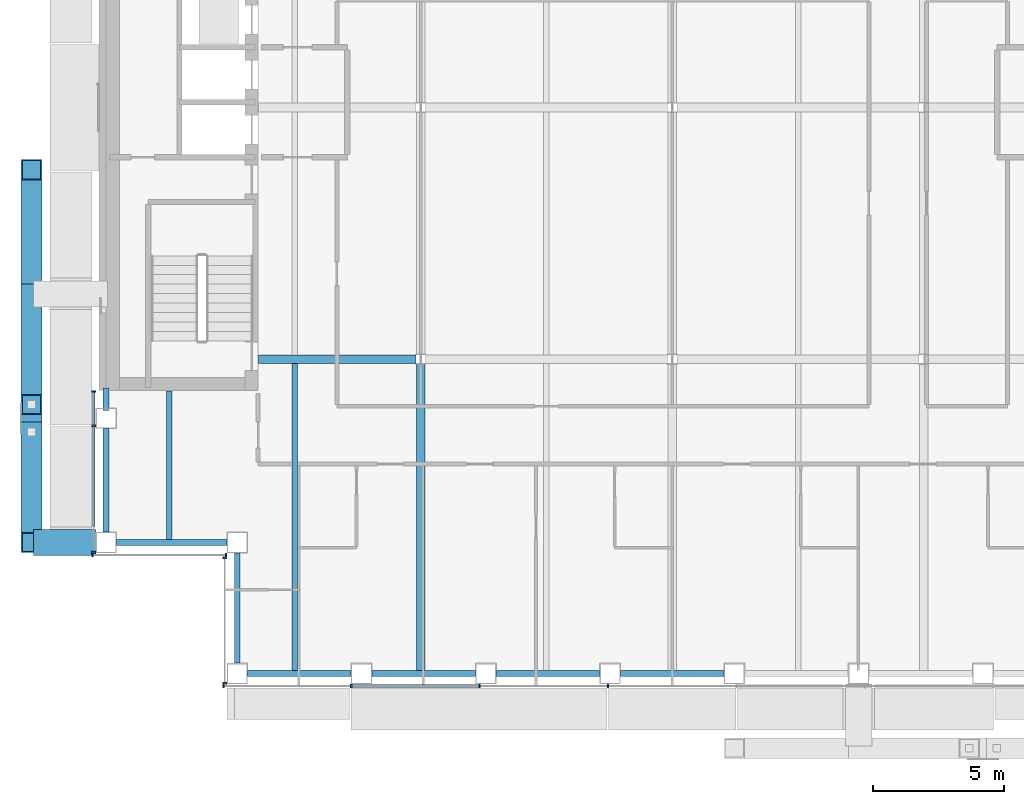
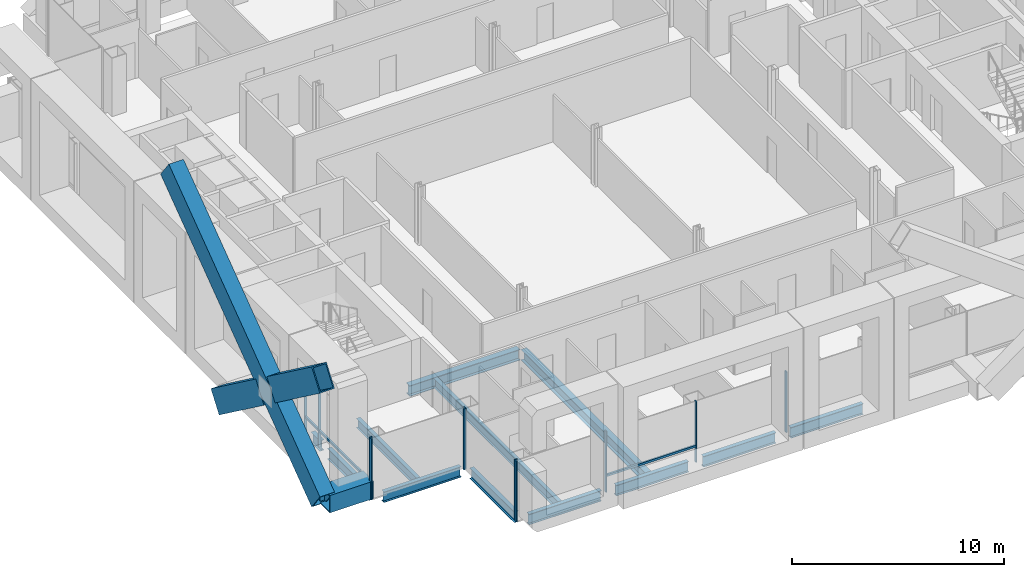
# One storey, part 3 of 22: 17 members, 13 beams, 4 elements without a shape of their own.
"""IFC4 building model written with IfcOpenShell, lengths in metres."""

from ifc_helpers import new_model, si_unit, direction, frame, origin, origin_2d, place, context, subcontext, project, spatial, rectangle, hollow_rectangle, i_section, extrude, material, material_profile, profile_set, type_object, element, aggregate, save


model = new_model("IFC4")

# Units and contexts
model_context = context("Model", 3, precision=1e-05, world=origin(), true_north=direction((0.0, 1.0)))
body_context = subcontext(model_context, "Body", "Model", "MODEL_VIEW")
ifc_project = project(units=[si_unit("LENGTHUNIT", "METRE"), si_unit("AREAUNIT", "SQUARE_METRE"), si_unit("VOLUMEUNIT", "CUBIC_METRE"), si_unit("PLANEANGLEUNIT", "RADIAN"), si_unit("MASSUNIT", "GRAM", prefix="KILO")], contexts=[model_context])

# Site, building, storey
site_placement = place(None, origin())
site = spatial("IfcSite", under=ifc_project, at=site_placement, CompositionType="ELEMENT")
building_placement = place(site_placement, origin())
building = spatial("IfcBuilding", under=site, at=building_placement, Name="Cobrizo Arcos Hotel Tower", CompositionType="ELEMENT")
storey_placement = place(building_placement, frame((0.0, 0.0, 176.0)))
storey = spatial("IfcBuildingStorey", under=building, at=storey_placement, Name="L45", CompositionType="ELEMENT", Elevation=176.0)

# Beam
ifc_material_1 = material(Name="Steel ASTM A572 Grade 50", Category="steel")
ifc_material_profile_1 = material_profile(ifc_material_1, hollow_rectangle(XDim=1.0, YDim=1.0, WallThickness=0.06005859375, at=origin_2d()), Name="BOX 1000X1000X60")
ifc_profile_set_1 = profile_set([ifc_material_profile_1], Name="Steel ASTM A572 Grade 50")
beam_type_1 = type_object("IfcBeamType", Name="BOX 1000X1000X60 brace connector strut", PredefinedType="BEAM", material=ifc_profile_set_1)
beam_1_placement = place(storey_placement, frame((-21.989990234375, -16.60009765625, 0.5), z_axis=(-1.0, 0.0, 0.0), x_axis=(0.0, -1.0, 0.0)))
element("IfcBeam", 1, at=beam_1_placement, inside=storey, type_object=beam_type_1, Name="Perimeter brace stub BS1, zone Z3, west face, offset -16.60 m, L45", PredefinedType="BEAM", context=body_context, shape_type="SweptSolid", body=[
    extrude(hollow_rectangle(XDim=1.0, YDim=1.0, WallThickness=0.06005859375, at=origin_2d()), origin(), (0.0, 0.0, 1.0), 2.380126953125),
])

# Members
ifc_material_profile_2 = material_profile(ifc_material_1, hollow_rectangle(XDim=0.800048828125, YDim=1.300048828125, WallThickness=0.06005859375, at=origin_2d()), Name="BOX 800X1300X60")
ifc_profile_set_2 = profile_set([ifc_material_profile_2], Name="Steel ASTM A572 Grade 50")
member_type_1 = type_object("IfcMemberType", Name="BOX 800X1300X60 perimeter brace", PredefinedType="BRACE", material=ifc_profile_set_2)
member_1_placement = place(storey_placement, frame((-24.449951171875, -16.60009765625, 0.5), z_axis=(0.0, 0.804632973186, 0.593772497225), x_axis=(-1.0, 0.0, 0.0)))
element("IfcMember", 2, at=member_1_placement, inside=storey, type_object=member_type_1, Name="Perimeter brace PBR3, zone Z3, west face, no. 17", PredefinedType="BRACE", context=body_context, shape_type="SweptSolid", body=[
    extrude(hollow_rectangle(XDim=0.800048828125, YDim=1.300048828125, WallThickness=0.06005859375, at=origin_2d()), origin(), (0.0, 0.0, 1.0), 17.68359375),
])
for number, where, z_axis, x_axis, name in (
    (3, (-24.449951171875, -7.1142578125, 0.5), (0.0, -0.804623858684, 0.593784848271), (1.0, 0.0, 0.0), "Perimeter brace PBR3, zone Z3, west face, no. 16"),
    (4, (-24.449951171875, -12.38037109375, 4.385986328125), (0.0, -0.804623858684, 0.593784848271), (1.0, 0.0, 0.0), "Perimeter brace PBR3, zone Z3, west face, no. 16b"),
):
    element("IfcMember", number, at=place(storey_placement, frame(where, z_axis=z_axis, x_axis=x_axis)), inside=storey, type_object=member_type_1, Name=name, PredefinedType="BRACE", context=body_context, shape_type="SweptSolid", body=[
        extrude(hollow_rectangle(XDim=0.800048828125, YDim=1.300048828125, WallThickness=0.06005859375, at=origin_2d()), origin(), (0.0, 0.0, 1.0), 5.244384765625),
    ])

# Curtain wall, members
ifc_material_2 = material(Name="Aluminium 6063-T6 anodised bronze", Category="aluminium")
curtain_wall_type = type_object("IfcCurtainWallType", Name="CW-A guest facade", PredefinedType="NOTDEFINED", material=ifc_material_2)
curtain_wall_1_placement = place(storey_placement, origin())
curtain_wall_1 = element("IfcCurtainWall", 5, at=curtain_wall_1_placement, inside=storey, type_object=curtain_wall_type, Name="CW-A L45 S face", PredefinedType="NOTDEFINED")
ifc_material_profile_3 = material_profile(ifc_material_2, rectangle(XDim=0.14990234375, YDim=0.06005859375, at=origin_2d()), Name="CW-A mullion 150x60")
ifc_profile_set_3 = profile_set([ifc_material_profile_3], Name="Aluminium 6063-T6 anodised bronze")
member_type_2 = type_object("IfcMemberType", Name="CW-A mullion 150x60", PredefinedType="MULLION", material=ifc_profile_set_3)
member_2_placement = place(storey_placement, frame((-17.1201171875, -22.074951171875, 0.0), z_axis=(0.0, 0.0, 1.0), x_axis=(0.0, -1.0, 0.0)))
member_2 = element("IfcMember", 6, at=member_2_placement, type_object=member_type_2, Name="CW-A mullion 1", PredefinedType="MULLION", context=body_context, shape_type="SweptSolid", body=[
    extrude(rectangle(XDim=0.14990234375, YDim=0.06005859375, at=origin_2d()), origin(), (0.0, 0.0, 1.0), 3.5),
])
member_3_placement = place(storey_placement, frame((-12.25, -22.074951171875, 0.0), z_axis=(0.0, 0.0, 1.0), x_axis=(0.0, -1.0, 0.0)))
member_3 = element("IfcMember", 7, at=member_3_placement, type_object=member_type_2, Name="CW-A mullion 2", PredefinedType="MULLION", context=body_context, shape_type="SweptSolid", body=[
    extrude(rectangle(XDim=0.14990234375, YDim=0.06005859375, at=origin_2d()), origin(), (0.0, 0.0, 1.0), 3.5),
])
member_4_placement = place(storey_placement, frame((-7.35009765625, -22.074951171875, 0.0), z_axis=(0.0, 0.0, 1.0), x_axis=(0.0, -1.0, 0.0)))
member_4 = element("IfcMember", 8, at=member_4_placement, type_object=member_type_2, Name="CW-A mullion 3", PredefinedType="MULLION", context=body_context, shape_type="SweptSolid", body=[
    extrude(rectangle(XDim=0.14990234375, YDim=0.06005859375, at=origin_2d()), origin(), (0.0, 0.0, 1.0), 3.5),
])
member_5_placement = place(storey_placement, frame((-2.449951171875, -22.074951171875, 0.0), z_axis=(0.0, 0.0, 1.0), x_axis=(0.0, -1.0, 0.0)))
member_5 = element("IfcMember", 9, at=member_5_placement, type_object=member_type_2, Name="CW-A mullion 4", PredefinedType="MULLION", context=body_context, shape_type="SweptSolid", body=[
    extrude(rectangle(XDim=0.14990234375, YDim=0.06005859375, at=origin_2d()), origin(), (0.0, 0.0, 1.0), 3.5),
])

curtain_wall_2_placement = place(storey_placement, origin())
curtain_wall_2 = element("IfcCurtainWall", 10, at=curtain_wall_2_placement, inside=storey, type_object=curtain_wall_type, Name="CW-A L45 W face", PredefinedType="NOTDEFINED")
member_6_placement = place(storey_placement, frame((-22.074951171875, -10.830078125, 0.0), z_axis=(0.0, 0.0, 1.0), x_axis=(-1.0, 0.0, 0.0)))
member_6 = element("IfcMember", 11, at=member_6_placement, type_object=member_type_2, Name="CW-A mullion 1", PredefinedType="MULLION", context=body_context, shape_type="SweptSolid", body=[
    extrude(rectangle(XDim=0.14990234375, YDim=0.06005859375, at=origin_2d()), origin(), (0.0, 0.0, 1.0), 3.5),
])
member_7_placement = place(storey_placement, frame((-22.074951171875, -12.142822265625, 0.0), z_axis=(0.0, 0.0, 1.0), x_axis=(-1.0, 0.0, 0.0)))
member_7 = element("IfcMember", 12, at=member_7_placement, type_object=member_type_2, Name="CW-A mullion 2", PredefinedType="MULLION", context=body_context, shape_type="SweptSolid", body=[
    extrude(rectangle(XDim=0.14990234375, YDim=0.06005859375, at=origin_2d()), origin(), (0.0, 0.0, 1.0), 3.5),
])
member_8_placement = place(storey_placement, frame((-22.074951171875, -16.969970703125, 0.0), z_axis=(0.0, 0.0, 1.0), x_axis=(-1.0, 0.0, 0.0)))
member_8 = element("IfcMember", 13, at=member_8_placement, type_object=member_type_2, Name="CW-A mullion 3", PredefinedType="MULLION", context=body_context, shape_type="SweptSolid", body=[
    extrude(rectangle(XDim=0.14990234375, YDim=0.06005859375, at=origin_2d()), origin(), (0.0, 0.0, 1.0), 3.5),
])

curtain_wall_3_placement = place(storey_placement, origin())
curtain_wall_3 = element("IfcCurtainWall", 14, at=curtain_wall_3_placement, inside=storey, type_object=curtain_wall_type, Name="CW-A L45 S face", PredefinedType="NOTDEFINED")
member_9_placement = place(storey_placement, frame((-22.1201171875, -17.074951171875, 0.0), z_axis=(0.0, 0.0, 1.0), x_axis=(0.0, -1.0, 0.0)))
member_9 = element("IfcMember", 15, at=member_9_placement, type_object=member_type_2, Name="CW-A mullion 1", PredefinedType="MULLION", context=body_context, shape_type="SweptSolid", body=[
    extrude(rectangle(XDim=0.14990234375, YDim=0.06005859375, at=origin_2d()), origin(), (0.0, 0.0, 1.0), 3.5),
])
member_10_placement = place(storey_placement, frame((-17.030029296875, -17.074951171875, 0.0), z_axis=(0.0, 0.0, 1.0), x_axis=(0.0, -1.0, 0.0)))
member_10 = element("IfcMember", 16, at=member_10_placement, type_object=member_type_2, Name="CW-A mullion 2", PredefinedType="MULLION", context=body_context, shape_type="SweptSolid", body=[
    extrude(rectangle(XDim=0.14990234375, YDim=0.06005859375, at=origin_2d()), origin(), (0.0, 0.0, 1.0), 3.5),
])
aggregate(curtain_wall_3, [member_9, member_10])

curtain_wall_4_placement = place(storey_placement, origin())
curtain_wall_4 = element("IfcCurtainWall", 17, at=curtain_wall_4_placement, inside=storey, type_object=curtain_wall_type, Name="CW-A L45 W face", PredefinedType="NOTDEFINED")
member_11_placement = place(storey_placement, frame((-17.074951171875, -17.179931640625, 0.0), z_axis=(0.0, 0.0, 1.0), x_axis=(-1.0, 0.0, 0.0)))
member_11 = element("IfcMember", 18, at=member_11_placement, type_object=member_type_2, Name="CW-A mullion 1", PredefinedType="MULLION", context=body_context, shape_type="SweptSolid", body=[
    extrude(rectangle(XDim=0.14990234375, YDim=0.06005859375, at=origin_2d()), origin(), (0.0, 0.0, 1.0), 3.5),
])
member_12_placement = place(storey_placement, frame((-17.074951171875, -21.969970703125, 0.0), z_axis=(0.0, 0.0, 1.0), x_axis=(-1.0, 0.0, 0.0)))
member_12 = element("IfcMember", 19, at=member_12_placement, type_object=member_type_2, Name="CW-A mullion 2", PredefinedType="MULLION", context=body_context, shape_type="SweptSolid", body=[
    extrude(rectangle(XDim=0.14990234375, YDim=0.06005859375, at=origin_2d()), origin(), (0.0, 0.0, 1.0), 3.5),
])
aggregate(curtain_wall_4, [member_11, member_12])

# Member
ifc_material_profile_4 = material_profile(ifc_material_2, rectangle(XDim=0.10009765625, YDim=0.1201171875, at=origin_2d()), Name="CW-A transom 120x100")
ifc_profile_set_4 = profile_set([ifc_material_profile_4], Name="Aluminium 6063-T6 anodised bronze")
member_type_3 = type_object("IfcMemberType", Name="CW-A transom 120x100", PredefinedType="USERDEFINED", material=ifc_profile_set_4)
member_13_placement = place(storey_placement, frame((-12.219970703125, -22.074951171875, 0.929931640625), z_axis=(1.0, 0.0, 0.0), x_axis=(0.0, 1.0, 0.0)))
member_13 = element("IfcMember", 20, at=member_13_placement, type_object=member_type_3, Name="CW-A transom 1577", ObjectType="TRANSOM", PredefinedType="USERDEFINED", context=body_context, shape_type="SweptSolid", body=[
    extrude(rectangle(XDim=0.10009765625, YDim=0.1201171875, at=origin_2d()), origin(), (0.0, 0.0, 1.0), 4.840087890625),
])

aggregate(curtain_wall_1, [member_2, member_3, member_4, member_5, member_13])

member_14_placement = place(storey_placement, frame((-22.074951171875, -10.860107421875, 0.929931640625), z_axis=(0.0, -1.0, 0.0), x_axis=(1.0, 0.0, 0.0)))
member_14 = element("IfcMember", 21, at=member_14_placement, type_object=member_type_3, Name="CW-A transom 1602", ObjectType="TRANSOM", PredefinedType="USERDEFINED", context=body_context, shape_type="SweptSolid", body=[
    extrude(rectangle(XDim=0.10009765625, YDim=0.1201171875, at=origin_2d()), origin(), (0.0, 0.0, 1.0), 1.252685546875),
])

member_15_placement = place(storey_placement, frame((-22.074951171875, -12.1728515625, 0.929931640625), z_axis=(0.0, -1.0, 0.0), x_axis=(1.0, 0.0, 0.0)))
member_15 = element("IfcMember", 22, at=member_15_placement, type_object=member_type_3, Name="CW-A transom 1603", ObjectType="TRANSOM", PredefinedType="USERDEFINED", context=body_context, shape_type="SweptSolid", body=[
    extrude(rectangle(XDim=0.10009765625, YDim=0.1201171875, at=origin_2d()), origin(), (0.0, 0.0, 1.0), 3.8271484375),
])

aggregate(curtain_wall_2, [member_6, member_7, member_8, member_14, member_15])

# Beams
ifc_material_3 = material(Name="Steel ASTM A992 Grade 50", Category="steel")
ifc_material_profile_5 = material_profile(ifc_material_3, i_section(OverallWidth=0.209228515625, OverallDepth=0.533447265625, WebThickness=0.01025390625, FlangeThickness=0.015625, at=origin_2d()), Name="W21X62")
ifc_profile_set_5 = profile_set([ifc_material_profile_5], Name="Steel ASTM A992 Grade 50")
beam_type_2 = type_object("IfcBeamType", Name="W21X62 joist", PredefinedType="JOIST", material=ifc_profile_set_5)
beam_2_placement = place(storey_placement, frame((-19.199951171875, -16.510009765625, -0.416748046875), z_axis=(0.0, 1.0, 0.0), x_axis=(-1.0, 0.0, 0.0)))
element("IfcBeam", 23, at=beam_2_placement, inside=storey, type_object=beam_type_2, Name="Floor joist J1, L45, no. 001", PredefinedType="JOIST", context=body_context, shape_type="SweptSolid", body=[
    extrude(i_section(OverallWidth=0.209228515625, OverallDepth=0.533447265625, WebThickness=0.01025390625, FlangeThickness=0.015625, at=origin_2d()), origin(), (0.0, 0.0, 1.0), 5.699951171875),
])
beam_3_placement = place(storey_placement, frame((-14.39990234375, -21.510009765625, -0.416748046875), z_axis=(0.0, 1.0, 0.0), x_axis=(-1.0, 0.0, 0.0)))
element("IfcBeam", 24, at=beam_3_placement, inside=storey, type_object=beam_type_2, Name="Floor joist J1, L45, no. 003", PredefinedType="JOIST", context=body_context, shape_type="SweptSolid", body=[
    extrude(i_section(OverallWidth=0.209228515625, OverallDepth=0.533447265625, WebThickness=0.01025390625, FlangeThickness=0.015625, at=origin_2d()), origin(), (0.0, 0.0, 1.0), 11.74609375),
])
ifc_material_profile_6 = material_profile(ifc_material_3, i_section(OverallWidth=0.32763671875, OverallDepth=0.622314453125, WebThickness=0.015380859375, FlangeThickness=0.0244140625, at=origin_2d()), Name="W24X131")
ifc_profile_set_6 = profile_set([ifc_material_profile_6], Name="Steel ASTM A992 Grade 50")
beam_type_3 = type_object("IfcBeamType", Name="W24X131 girder", PredefinedType="BEAM", material=ifc_profile_set_6)
beam_4_placement = place(storey_placement, frame((-15.7900390625, -9.60009765625, -0.461181640625), z_axis=(1.0, 0.0, 0.0), x_axis=(0.0, 1.0, 0.0)))
element("IfcBeam", 25, at=beam_4_placement, inside=storey, type_object=beam_type_3, Name="Floor girder G1, L45, no. 001", PredefinedType="BEAM", context=body_context, shape_type="SweptSolid", body=[
    extrude(i_section(OverallWidth=0.32763671875, OverallDepth=0.622314453125, WebThickness=0.015380859375, FlangeThickness=0.0244140625, at=origin_2d()), origin(), (0.0, 0.0, 1.0), 6.00341796875),
])
beam_5_placement = place(storey_placement, frame((-9.60009765625, -21.510009765625, -0.461181640625), z_axis=(0.0, 1.0, 0.0), x_axis=(-1.0, 0.0, 0.0)))
element("IfcBeam", 26, at=beam_5_placement, inside=storey, type_object=beam_type_3, Name="Floor girder G1, L45, no. 013", PredefinedType="BEAM", context=body_context, shape_type="SweptSolid", body=[
    extrude(i_section(OverallWidth=0.32763671875, OverallDepth=0.622314453125, WebThickness=0.015380859375, FlangeThickness=0.0244140625, at=origin_2d()), origin(), (0.0, 0.0, 1.0), 11.723388671875),
])
ifc_material_profile_7 = material_profile(ifc_material_3, i_section(OverallWidth=0.228271484375, OverallDepth=0.607177734375, WebThickness=0.01123046875, FlangeThickness=0.017333984375, at=origin_2d()), Name="W24X76")
ifc_profile_set_7 = profile_set([ifc_material_profile_7], Name="Steel ASTM A992 Grade 50")
beam_type_4 = type_object("IfcBeamType", Name="W24X76 spandrel", PredefinedType="SPANDREL", material=ifc_profile_set_7)
beam_6_placement = place(storey_placement, frame((-16.199951171875, -21.60009765625, -0.45361328125), z_axis=(1.0, 0.0, 0.0), x_axis=(0.0, 1.0, 0.0)))
element("IfcBeam", 27, at=beam_6_placement, inside=storey, type_object=beam_type_4, Name="Spandrel beam W24X76, L45, no. 001", PredefinedType="SPANDREL", context=body_context, shape_type="SweptSolid", body=[
    extrude(i_section(OverallWidth=0.228271484375, OverallDepth=0.607177734375, WebThickness=0.01123046875, FlangeThickness=0.017333984375, at=origin_2d()), origin(), (0.0, 0.0, 1.0), 3.94287109375),
])
for number, where, z_axis, x_axis, name in (
    (28, (-11.45703125, -21.60009765625, -0.45361328125), (1.0, 0.0, 0.0), (0.0, 1.0, 0.0), "Spandrel beam W24X76, L45, no. 002"),
    (29, (-6.714111328125, -21.60009765625, -0.45361328125), (1.0, 0.0, 0.0), (0.0, 1.0, 0.0), "Spandrel beam W24X76, L45, no. 003"),
):
    element("IfcBeam", number, at=place(storey_placement, frame(where, z_axis=z_axis, x_axis=x_axis)), inside=storey, type_object=beam_type_4, Name=name, PredefinedType="SPANDREL", context=body_context, shape_type="SweptSolid", body=[
        extrude(i_section(OverallWidth=0.228271484375, OverallDepth=0.607177734375, WebThickness=0.01123046875, FlangeThickness=0.017333984375, at=origin_2d()), origin(), (0.0, 0.0, 1.0), 3.943115234375),
    ])
beam_7_placement = place(storey_placement, frame((-1.970947265625, -21.60009765625, -0.45361328125), z_axis=(1.0, 0.0, 0.0), x_axis=(0.0, 1.0, 0.0)))
element("IfcBeam", 30, at=beam_7_placement, inside=storey, type_object=beam_type_4, Name="Spandrel beam W24X76, L45, no. 004", PredefinedType="SPANDREL", context=body_context, shape_type="SweptSolid", body=[
    extrude(i_section(OverallWidth=0.228271484375, OverallDepth=0.607177734375, WebThickness=0.01123046875, FlangeThickness=0.017333984375, at=origin_2d()), origin(), (0.0, 0.0, 1.0), 3.94189453125),
])
beam_8_placement = place(storey_placement, frame((-21.60009765625, -10.7099609375, -0.45361328125), z_axis=(0.0, -1.0, 0.0), x_axis=(1.0, 0.0, 0.0)))
element("IfcBeam", 31, at=beam_8_placement, inside=storey, type_object=beam_type_4, Name="Spandrel beam W24X76, L45, no. 027", PredefinedType="SPANDREL", context=body_context, shape_type="SweptSolid", body=[
    extrude(i_section(OverallWidth=0.228271484375, OverallDepth=0.607177734375, WebThickness=0.01123046875, FlangeThickness=0.017333984375, at=origin_2d()), origin(), (0.0, 0.0, 1.0), 0.846923828125),
])
beam_9_placement = place(storey_placement, frame((-21.60009765625, -12.257080078125, -0.45361328125), z_axis=(0.0, -1.0, 0.0), x_axis=(1.0, 0.0, 0.0)))
element("IfcBeam", 32, at=beam_9_placement, inside=storey, type_object=beam_type_4, Name="Spandrel beam W24X76, L45, no. 028", PredefinedType="SPANDREL", context=body_context, shape_type="SweptSolid", body=[
    extrude(i_section(OverallWidth=0.228271484375, OverallDepth=0.607177734375, WebThickness=0.01123046875, FlangeThickness=0.017333984375, at=origin_2d()), origin(), (0.0, 0.0, 1.0), 3.94287109375),
])
for number, where, z_axis, x_axis, name in (
    (33, (-21.199951171875, -16.60009765625, -0.45361328125), (1.0, 0.0, 0.0), (0.0, 1.0, 0.0), "Spandrel beam W24X76, L45, no. 029"),
    (34, (-16.60009765625, -17.0, -0.45361328125), (0.0, -1.0, 0.0), (1.0, 0.0, 0.0), "Spandrel beam W24X76, L45, no. 030"),
):
    element("IfcBeam", number, at=place(storey_placement, frame(where, z_axis=z_axis, x_axis=x_axis)), inside=storey, type_object=beam_type_4, Name=name, PredefinedType="SPANDREL", context=body_context, shape_type="SweptSolid", body=[
        extrude(i_section(OverallWidth=0.228271484375, OverallDepth=0.607177734375, WebThickness=0.01123046875, FlangeThickness=0.017333984375, at=origin_2d()), origin(), (0.0, 0.0, 1.0), 4.199951171875),
    ])

save(model, "model.ifc")
